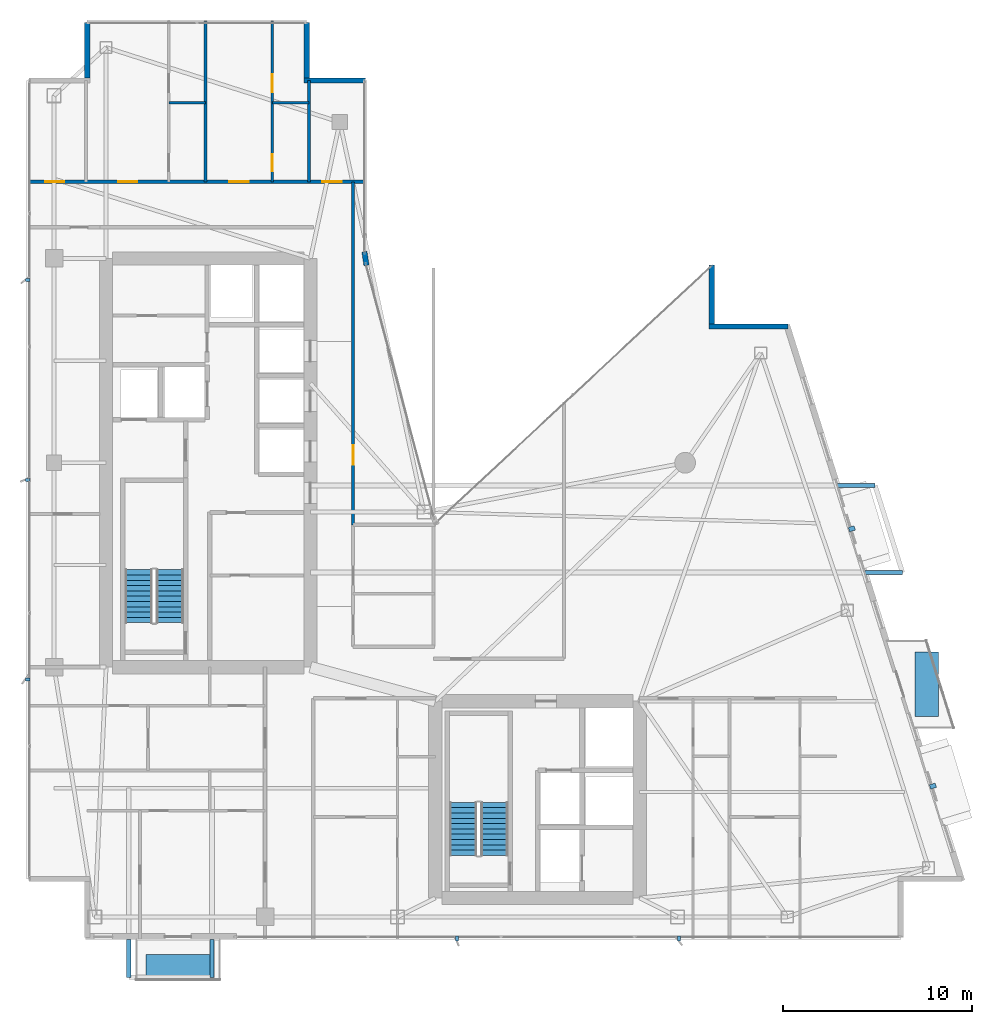
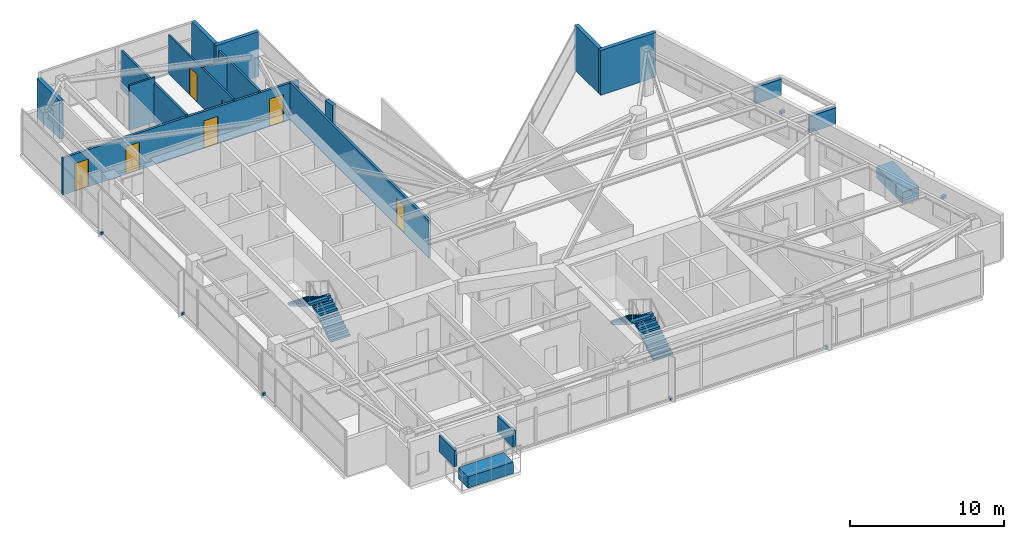
# One storey, part 25 of 27: 13 discrete accessories, 13 walls, 7 doors, 4 stair flights, 7 openings, 2 elements without a shape of their own.
"""IFC4 building model written with IfcOpenShell, lengths in metres."""

from ifc_helpers import new_model, si_unit, direction, frame, frame_2d, origin, origin_2d, place, context, subcontext, project, spatial, polyline, rectangle, outline, extrude, material, layer, layer_set, type_object, element, fill, aggregate, save


model = new_model("IFC4")

# Units and contexts
model_context = context("Model", 3, precision=1e-05, world=origin(), true_north=direction((0.0, 1.0)))
body_context = subcontext(model_context, "Body", "Model", "MODEL_VIEW")
ifc_project = project(units=[si_unit("LENGTHUNIT", "METRE"), si_unit("AREAUNIT", "SQUARE_METRE"), si_unit("VOLUMEUNIT", "CUBIC_METRE"), si_unit("PLANEANGLEUNIT", "RADIAN"), si_unit("MASSUNIT", "GRAM", prefix="KILO")], contexts=[model_context])

# Site, building, storey
site_placement = place(None, origin())
site = spatial("IfcSite", under=ifc_project, at=site_placement, CompositionType="ELEMENT")
building_placement = place(site_placement, origin())
building = spatial("IfcBuilding", under=site, at=building_placement, Name="Calvorn Quay Hotel", CompositionType="ELEMENT")
storey_placement = place(building_placement, frame((0.0, 0.0, 226.89990234375)))
storey = spatial("IfcBuildingStorey", under=building, at=storey_placement, Name="L56", CompositionType="ELEMENT", Elevation=226.89990234375)

# Wall, openings, doors
ifc_material_1 = material(Name="Acoustic Fireboard Steel-Stud Partition", Category="steel")
ifc_layer_1 = layer(ifc_material_1, 0.179931640625)
ifc_layer_set_1 = layer_set([ifc_layer_1], Name="WL-CORR-FIRE-180")
wall_type_1 = type_object("IfcWallType", Name="WL-CORR-FIRE-180", PredefinedType="PARTITIONING", material=ifc_layer_set_1)
wall_1_placement = place(storey_placement, frame((0.080078125, 42.449951171875, 0.0), z_axis=(0.0, 0.0, 1.0), x_axis=(1.0, 0.0, 0.0)))
wall_1 = element("IfcWall", 1, at=wall_1_placement, inside=storey, type_object=wall_type_1, Name="Partition Wall L56-WL-CORR-NW-N", PredefinedType="PARTITIONING", context=body_context, shape_type="SweptSolid", body=[
    extrude(rectangle(XDim=17.77001953125, YDim=0.179931640625, at=frame_2d((8.885009765625, 0.0))), origin(), (0.0, 0.0, 1.0), 2.940185546875),
])
opening_1_placement = place(wall_1_placement, frame((0.89990234375, 0.0, 0.0)))
opening_1 = element("IfcOpeningElement", 2, at=opening_1_placement, cuts=wall_1, Name="Opening D-L56-NWW", PredefinedType="OPENING", context=body_context, shape_type="SweptSolid", body=[
    extrude(rectangle(XDim=1.02001953125, YDim=2.199951171875, at=frame_2d((0.510009765625, 1.10009765625))), frame((0.0, 0.099853515625, 0.0), z_axis=(0.0, -1.0, 0.0), x_axis=(1.0, 0.0, 0.0)), (0.0, 0.0, 1.0), 0.199951171875),
])
opening_2_placement = place(wall_1_placement, frame((4.75, 0.0, 0.0)))
opening_2 = element("IfcOpeningElement", 3, at=opening_2_placement, cuts=wall_1, Name="Opening D-L56-U04", PredefinedType="OPENING", context=body_context, shape_type="SweptSolid", body=[
    extrude(rectangle(XDim=1.02001953125, YDim=2.199951171875, at=frame_2d((0.510009765625, 1.10009765625))), frame((0.0, 0.099853515625, 0.0), z_axis=(0.0, -1.0, 0.0), x_axis=(1.0, 0.0, 0.0)), (0.0, 0.0, 1.0), 0.199951171875),
])
opening_3_placement = place(wall_1_placement, frame((10.6298828125, 0.0, 0.0)))
opening_3 = element("IfcOpeningElement", 4, at=opening_3_placement, cuts=wall_1, Name="Opening D-L56-U05", PredefinedType="OPENING", context=body_context, shape_type="SweptSolid", body=[
    extrude(rectangle(XDim=1.02001953125, YDim=2.199951171875, at=frame_2d((0.510009765625, 1.10009765625))), frame((0.0, 0.099853515625, 0.0), z_axis=(0.0, -1.0, 0.0), x_axis=(1.0, 0.0, 0.0)), (0.0, 0.0, 1.0), 0.199951171875),
])
opening_4_placement = place(wall_1_placement, frame((15.550048828125, 0.0, 0.0)))
opening_4 = element("IfcOpeningElement", 5, at=opening_4_placement, cuts=wall_1, Name="Opening D-L56-NWE", PredefinedType="OPENING", context=body_context, shape_type="SweptSolid", body=[
    extrude(rectangle(XDim=1.02001953125, YDim=2.199951171875, at=frame_2d((0.510009765625, 1.10009765625))), frame((0.0, 0.099853515625, 0.0), z_axis=(0.0, -1.0, 0.0), x_axis=(1.0, 0.0, 0.0)), (0.0, 0.0, 1.0), 0.199951171875),
])
ifc_material_2 = material(Name="Solid-Core Walnut Veneer Hotel Fire Door")
door_type_1 = type_object("IfcDoorType", Name="DR-GUEST-ENTRY-1020", OperationType="NOTDEFINED", PredefinedType="DOOR", material=ifc_material_2)
door_1_placement = place(opening_1_placement, origin())
door_1 = element("IfcDoor", 6, at=door_1_placement, inside=storey, type_object=door_type_1, Name="West Corner Study Door (L56)", OperationType="SINGLE_SWING_LEFT", OverallHeight=2.199951171875, OverallWidth=1.02001953125, PredefinedType="DOOR", context=body_context, shape_type="SweptSolid", body=[
    extrude(rectangle(XDim=1.02001953125, YDim=2.199951171875, at=frame_2d((0.510009765625, 1.10009765625))), frame((0.0, 0.02490234375, 0.0), z_axis=(0.0, -1.0, 0.0), x_axis=(1.0, 0.0, 0.0)), (0.0, 0.0, 1.0), 0.050048828125),
])
fill(opening_1, door_1)
door_2_placement = place(opening_2_placement, origin())
door_2 = element("IfcDoor", 7, at=door_2_placement, inside=storey, type_object=door_type_1, Name="North-West Unit Door U04 (L56)", OperationType="SINGLE_SWING_RIGHT", OverallHeight=2.199951171875, OverallWidth=1.02001953125, PredefinedType="DOOR", context=body_context, shape_type="SweptSolid", body=[
    extrude(rectangle(XDim=1.02001953125, YDim=2.199951171875, at=frame_2d((0.510009765625, 1.10009765625))), frame((0.0, 0.02490234375, 0.0), z_axis=(0.0, -1.0, 0.0), x_axis=(1.0, 0.0, 0.0)), (0.0, 0.0, 1.0), 0.050048828125),
])
fill(opening_2, door_2)
door_3_placement = place(opening_3_placement, origin())
door_3 = element("IfcDoor", 8, at=door_3_placement, inside=storey, type_object=door_type_1, Name="North-West Unit Door U05 (L56)", OperationType="SINGLE_SWING_LEFT", OverallHeight=2.199951171875, OverallWidth=1.02001953125, PredefinedType="DOOR", context=body_context, shape_type="SweptSolid", body=[
    extrude(rectangle(XDim=1.02001953125, YDim=2.199951171875, at=frame_2d((0.510009765625, 1.10009765625))), frame((0.0, 0.02490234375, 0.0), z_axis=(0.0, -1.0, 0.0), x_axis=(1.0, 0.0, 0.0)), (0.0, 0.0, 1.0), 0.050048828125),
])
fill(opening_3, door_3)
door_4_placement = place(opening_4_placement, origin())
door_4 = element("IfcDoor", 9, at=door_4_placement, inside=storey, type_object=door_type_1, Name="Inner Court Study Door (L56)", OperationType="SINGLE_SWING_RIGHT", OverallHeight=2.199951171875, OverallWidth=1.02001953125, PredefinedType="DOOR", context=body_context, shape_type="SweptSolid", body=[
    extrude(rectangle(XDim=1.02001953125, YDim=2.199951171875, at=frame_2d((0.510009765625, 1.10009765625))), frame((0.0, 0.02490234375, 0.0), z_axis=(0.0, -1.0, 0.0), x_axis=(1.0, 0.0, 0.0)), (0.0, 0.0, 1.0), 0.050048828125),
])
fill(opening_4, door_4)

# Wall, opening, door
wall_2_placement = place(storey_placement, frame((17.25, 24.300048828125, 0.0), z_axis=(0.0, 0.0, 1.0), x_axis=(0.0, 1.0, 0.0)))
wall_2 = element("IfcWall", 10, at=wall_2_placement, inside=storey, type_object=wall_type_1, Name="Partition Wall L56-WL-NW-CLOSURE-E", PredefinedType="PARTITIONING", context=body_context, shape_type="SweptSolid", body=[
    extrude(rectangle(XDim=18.14990234375, YDim=0.179931640625, at=frame_2d((9.074951171875, 0.0))), origin(), (0.0, 0.0, 1.0), 2.940185546875),
])
opening_5_placement = place(wall_2_placement, frame((3.199951171875, 0.0, 0.0)))
opening_5 = element("IfcOpeningElement", 11, at=opening_5_placement, cuts=wall_2, Name="Opening D-L56-NCU", PredefinedType="OPENING", context=body_context, shape_type="SweptSolid", body=[
    extrude(rectangle(XDim=1.02001953125, YDim=2.199951171875, at=frame_2d((0.510009765625, 1.10009765625))), frame((0.0, 0.099853515625, 0.0), z_axis=(0.0, -1.0, 0.0), x_axis=(1.0, 0.0, 0.0)), (0.0, 0.0, 1.0), 0.199951171875),
])
door_5_placement = place(opening_5_placement, origin())
door_5 = element("IfcDoor", 12, at=door_5_placement, inside=storey, type_object=door_type_1, Name="Inner Court Horizon Study Door (L56)", OperationType="SINGLE_SWING_RIGHT", OverallHeight=2.199951171875, OverallWidth=1.02001953125, PredefinedType="DOOR", context=body_context, shape_type="SweptSolid", body=[
    extrude(rectangle(XDim=1.02001953125, YDim=2.199951171875, at=frame_2d((0.510009765625, 1.10009765625))), frame((0.0, 0.02490234375, 0.0), z_axis=(0.0, -1.0, 0.0), x_axis=(1.0, 0.0, 0.0)), (0.0, 0.0, 1.0), 0.050048828125),
])
fill(opening_5, door_5)

# Walls
ifc_material_3 = material(Name="Moisture-Resistant Tile-Backed Partition")
ifc_layer_2 = layer(ifc_material_3, 0.125)
ifc_layer_set_2 = layer_set([ifc_layer_2], Name="WL-ENSUITE-125")
wall_type_2 = type_object("IfcWallType", Name="WL-ENSUITE-125", PredefinedType="PARTITIONING", material=ifc_layer_set_2)
wall_3_placement = place(storey_placement, frame((7.52001953125, 46.6201171875, 0.0), z_axis=(0.0, 0.0, 1.0), x_axis=(1.0, 0.0, 0.0)))
element("IfcWall", 13, at=wall_3_placement, inside=storey, type_object=wall_type_2, Name="Partition Wall L56-WL-U04-BDV", PredefinedType="PARTITIONING", context=body_context, shape_type="SweptSolid", body=[
    extrude(rectangle(XDim=1.929931640625, YDim=0.125, at=frame_2d((0.96484375, 0.0))), origin(), (0.0, 0.0, 1.0), 3.56005859375),
])
wall_4_placement = place(storey_placement, frame((12.989990234375, 46.6201171875, 0.0), z_axis=(0.0, 0.0, 1.0), x_axis=(1.0, 0.0, 0.0)))
element("IfcWall", 14, at=wall_4_placement, inside=storey, type_object=wall_type_2, Name="Partition Wall L56-WL-U05-BDV", PredefinedType="PARTITIONING", context=body_context, shape_type="SweptSolid", body=[
    extrude(rectangle(XDim=1.929931640625, YDim=0.125, at=frame_2d((0.96484375, 0.0))), origin(), (0.0, 0.0, 1.0), 3.090087890625),
])

# Wall, openings, doors
wall_5_placement = place(storey_placement, frame((12.989990234375, 42.449951171875, 0.0), z_axis=(0.0, 0.0, 1.0), x_axis=(0.0, 1.0, 0.0)))
wall_5 = element("IfcWall", 15, at=wall_5_placement, inside=storey, type_object=wall_type_2, Name="Partition Wall L56-WL-U05-BV", PredefinedType="PARTITIONING", context=body_context, shape_type="SweptSolid", body=[
    extrude(rectangle(XDim=8.489990234375, YDim=0.125, at=frame_2d((4.2451171875, 0.0))), origin(), (0.0, 0.0, 1.0), 3.090087890625),
])
opening_6_placement = place(wall_5_placement, frame((0.550048828125, 0.0, 0.0)))
opening_6 = element("IfcOpeningElement", 16, at=opening_6_placement, cuts=wall_5, Name="Opening D-L56-E05", PredefinedType="OPENING", context=body_context, shape_type="SweptSolid", body=[
    extrude(rectangle(XDim=0.89990234375, YDim=2.14990234375, at=frame_2d((0.449951171875, 1.074951171875))), frame((0.0, 0.072509765625, 0.0), z_axis=(0.0, -1.0, 0.0), x_axis=(1.0, 0.0, 0.0)), (0.0, 0.0, 1.0), 0.14501953125),
])
opening_7_placement = place(wall_5_placement, frame((4.719970703125, 0.0, 0.0)))
opening_7 = element("IfcOpeningElement", 17, at=opening_7_placement, cuts=wall_5, Name="Opening D-L56-S05", PredefinedType="OPENING", context=body_context, shape_type="SweptSolid", body=[
    extrude(rectangle(XDim=0.9599609375, YDim=2.199951171875, at=frame_2d((0.47998046875, 1.10009765625))), frame((0.0, 0.072509765625, 0.0), z_axis=(0.0, -1.0, 0.0), x_axis=(1.0, 0.0, 0.0)), (0.0, 0.0, 1.0), 0.14501953125),
])
ifc_material_4 = material(Name="Moisture-Sealed Timber En-Suite Door", Category="wood")
door_type_2 = type_object("IfcDoorType", Name="DR-ENSUITE-900", OperationType="NOTDEFINED", PredefinedType="DOOR", material=ifc_material_4)
door_6_placement = place(opening_6_placement, origin())
door_6 = element("IfcDoor", 18, at=door_6_placement, inside=storey, type_object=door_type_2, Name="En-Suite Door 05", OperationType="SINGLE_SWING_LEFT", OverallHeight=2.14990234375, OverallWidth=0.89990234375, PredefinedType="DOOR", context=body_context, shape_type="SweptSolid", body=[
    extrude(rectangle(XDim=0.89990234375, YDim=2.14990234375, at=frame_2d((0.449951171875, 1.074951171875))), frame((0.0, 0.02490234375, 0.0), z_axis=(0.0, -1.0, 0.0), x_axis=(1.0, 0.0, 0.0)), (0.0, 0.0, 1.0), 0.050048828125),
])
fill(opening_6, door_6)
ifc_material_5 = material(Name="Solid Timber Internal Suite Door", Category="wood")
door_type_3 = type_object("IfcDoorType", Name="DR-SUITE-INT-960", OperationType="NOTDEFINED", PredefinedType="DOOR", material=ifc_material_5)
door_7_placement = place(opening_7_placement, origin())
door_7 = element("IfcDoor", 19, at=door_7_placement, inside=storey, type_object=door_type_3, Name="Private Executive Study Door 05", OperationType="SINGLE_SWING_RIGHT", OverallHeight=2.199951171875, OverallWidth=0.9599609375, PredefinedType="DOOR", context=body_context, shape_type="SweptSolid", body=[
    extrude(rectangle(XDim=0.9599609375, YDim=2.199951171875, at=frame_2d((0.47998046875, 1.10009765625))), frame((0.0, 0.02490234375, 0.0), z_axis=(0.0, -1.0, 0.0), x_axis=(1.0, 0.0, 0.0)), (0.0, 0.0, 1.0), 0.050048828125),
])
fill(opening_7, door_7)

# Walls
ifc_material_6 = material(Name="Concrete C40", Category="concrete")
ifc_layer_3 = layer(ifc_material_6, 0.320068359375)
ifc_layer_set_3 = layer_set([ifc_layer_3], Name="WL-EXT-SPANDREL-320")
wall_type_3 = type_object("IfcWallType", Name="WL-EXT-SPANDREL-320", PredefinedType="SOLIDWALL", material=ifc_layer_set_3)
wall_6_placement = place(storey_placement, frame((17.9619140625, 38.030029296875, 0.0), z_axis=(0.0, 0.0, 1.0), x_axis=(-0.15141125477, 0.988470855377, 0.0)))
element("IfcWall", 20, at=wall_6_placement, inside=storey, type_object=wall_type_3, Name="Inner Court Corner Pier L56-ICJ2", PredefinedType="SOLIDWALL", context=body_context, shape_type="SweptSolid", body=[
    extrude(rectangle(XDim=0.738525390625, YDim=0.280029296875, at=frame_2d((0.369140625, 0.0))), origin(), (0.0, 0.0, 1.0), 3.56005859375),
])
wall_7_placement = place(storey_placement, frame((40.239990234375, 34.800048828125, 0.0), z_axis=(0.0, 0.0, 1.0), x_axis=(-1.0, 0.0, 0.0)))
element("IfcWall", 21, at=wall_7_placement, inside=storey, type_object=wall_type_3, Name="Notched Corner Spandrel L56-NE1", PredefinedType="SOLIDWALL", context=body_context, shape_type="SweptSolid", body=[
    extrude(rectangle(XDim=4.179931640625, YDim=0.280029296875, at=frame_2d((2.08984375, 0.0))), origin(), (0.0, 0.0, 1.0), 3.56005859375),
])
wall_8_placement = place(storey_placement, frame((36.199951171875, 34.93994140625, 0.0), z_axis=(0.0, 0.0, 1.0), x_axis=(0.0, 1.0, 0.0)))
element("IfcWall", 22, at=wall_8_placement, inside=storey, type_object=wall_type_3, Name="Notched Corner Spandrel L56-NE2", PredefinedType="SOLIDWALL", context=body_context, shape_type="SweptSolid", body=[
    extrude(rectangle(XDim=3.10009765625, YDim=0.280029296875, at=frame_2d((1.550048828125, 0.0))), origin(), (0.0, 0.0, 1.0), 3.56005859375),
])
wall_9_placement = place(storey_placement, frame((17.89990234375, 47.800048828125, 0.0), z_axis=(0.0, 0.0, 1.0), x_axis=(-1.0, 0.0, 0.0)))
element("IfcWall", 23, at=wall_9_placement, inside=storey, type_object=wall_type_3, Name="Notched Corner Spandrel L56-NWE1", PredefinedType="SOLIDWALL", context=body_context, shape_type="SweptSolid", body=[
    extrude(rectangle(XDim=3.239990234375, YDim=0.280029296875, at=frame_2d((1.6201171875, 0.0))), origin(), (0.0, 0.0, 1.0), 3.56005859375),
])
wall_10_placement = place(storey_placement, frame((14.800048828125, 47.93994140625, 0.0), z_axis=(0.0, 0.0, 1.0), x_axis=(0.0, 1.0, 0.0)))
element("IfcWall", 24, at=wall_10_placement, inside=storey, type_object=wall_type_3, Name="Notched Corner Spandrel L56-NWE2", PredefinedType="SOLIDWALL", context=body_context, shape_type="SweptSolid", body=[
    extrude(rectangle(XDim=2.93994140625, YDim=0.280029296875, at=frame_2d((1.469970703125, 0.0))), origin(), (0.0, 0.0, 1.0), 3.56005859375),
])
wall_11_placement = place(storey_placement, frame((3.199951171875, 50.8798828125, 0.0), z_axis=(0.0, 0.0, 1.0), x_axis=(0.0, -1.0, 0.0)))
element("IfcWall", 25, at=wall_11_placement, inside=storey, type_object=wall_type_3, Name="Notched Corner Spandrel L56-NW1", PredefinedType="SOLIDWALL", context=body_context, shape_type="SweptSolid", body=[
    extrude(rectangle(XDim=2.93994140625, YDim=0.280029296875, at=frame_2d((1.469970703125, 0.0))), origin(), (0.0, 0.0, 1.0), 3.090087890625),
])
ifc_material_7 = material(Name="Double-Stud Acoustic Gypsum Partition")
ifc_layer_4 = layer(ifc_material_7, 0.159912109375)
ifc_layer_set_4 = layer_set([ifc_layer_4], Name="WL-INTERSUITE-160")
wall_type_4 = type_object("IfcWallType", Name="WL-INTERSUITE-160", PredefinedType="PARTITIONING", material=ifc_layer_set_4)
wall_12_placement = place(storey_placement, frame((14.919921875, 42.449951171875, 0.0), z_axis=(0.0, 0.0, 1.0), x_axis=(0.0, 1.0, 0.0)))
element("IfcWall", 26, at=wall_12_placement, inside=storey, type_object=wall_type_4, Name="Partition Wall L56-WL-NW-DIV-E0", PredefinedType="PARTITIONING", context=body_context, shape_type="SweptSolid", body=[
    extrude(rectangle(XDim=5.35009765625, YDim=0.159912109375, at=frame_2d((2.675048828125, 0.0))), origin(), (0.0, 0.0, 1.0), 3.090087890625),
])
wall_13_placement = place(storey_placement, frame((9.449951171875, 42.449951171875, 0.0), z_axis=(0.0, 0.0, 1.0), x_axis=(0.0, 1.0, 0.0)))
element("IfcWall", 27, at=wall_13_placement, inside=storey, type_object=wall_type_4, Name="Partition Wall L56-WL-NW-DIV-1", PredefinedType="PARTITIONING", context=body_context, shape_type="SweptSolid", body=[
    extrude(rectangle(XDim=8.489990234375, YDim=0.159912109375, at=frame_2d((4.2451171875, 0.0))), origin(), (0.0, 0.0, 1.0), 3.090087890625),
])

# Stair, stair flights
ifc_material_8 = material(Name="Concrete C40", Category="concrete")
stair_type = type_object("IfcStairType", Name="STR-CORE-DOGLEG", PredefinedType="HALF_TURN_STAIR", material=ifc_material_8)
stair_1_placement = place(storey_placement, origin())
stair_1 = element("IfcStair", 28, at=stair_1_placement, inside=storey, type_object=stair_type, Name="L56 ST-W", PredefinedType="HALF_TURN_STAIR")
ifc_material_9 = material(Name="Concrete C40", Category="concrete")
stair_flight_type = type_object("IfcStairFlightType", Name="FLT-CORE-1550", PredefinedType="STRAIGHT", material=ifc_material_9)
stair_flight_1_placement = place(storey_placement, frame((7.574951171875, 19.14990234375, 0.0), z_axis=(0.0, 0.0, 1.0), x_axis=(0.0, 1.0, 0.0)))
stair_flight_1 = element("IfcStairFlight", 29, at=stair_flight_1_placement, type_object=stair_flight_type, Name="ST-W flight 1", NumberOfRisers=11, NumberOfTreads=10, PredefinedType="STRAIGHT", RiserHeight=0.172727273, TreadLength=0.28, context=body_context, shape_type="SweptSolid", body=[
    extrude(outline(polyline([(0.0, 0.0), (0.0, 0.172607421875), (0.280029296875, 0.172607421875), (0.280029296875, 0.345458984375), (0.56005859375, 0.345458984375), (0.56005859375, 0.51806640625), (0.840087890625, 0.51806640625), (0.840087890625, 0.69091796875), (1.1201171875, 0.69091796875), (1.1201171875, 0.863525390625), (1.39990234375, 0.863525390625), (1.39990234375, 1.036376953125), (1.679931640625, 1.036376953125), (1.679931640625, 1.208984375), (1.9599609375, 1.208984375), (1.9599609375, 1.3818359375), (2.239990234375, 1.3818359375), (2.239990234375, 1.554443359375), (2.52001953125, 1.554443359375), (2.52001953125, 1.727294921875), (2.800048828125, 1.727294921875), (2.800048828125, 1.89990234375), (2.800048828125, 1.551025390625), (0.285400390625, 0.0), (0.0, 0.0)])), frame((0.0, 0.72509765625, 0.0), z_axis=(0.0, -1.0, 0.0), x_axis=(1.0, 0.0, 0.0)), (0.0, 0.0, 1.0), 1.449951171875),
])
stair_flight_2_placement = place(storey_placement, frame((5.925048828125, 21.949951171875, 1.900146484375), z_axis=(0.0, 0.0, 1.0), x_axis=(0.0, -1.0, 0.0)))
stair_flight_2 = element("IfcStairFlight", 30, at=stair_flight_2_placement, type_object=stair_flight_type, Name="ST-W flight 2", NumberOfRisers=11, NumberOfTreads=10, PredefinedType="STRAIGHT", RiserHeight=0.172727273, TreadLength=0.28, context=body_context, shape_type="SweptSolid", body=[
    extrude(outline(polyline([(0.0, 0.0), (0.0, 0.172607421875), (0.280029296875, 0.172607421875), (0.280029296875, 0.345458984375), (0.56005859375, 0.345458984375), (0.56005859375, 0.51806640625), (0.840087890625, 0.51806640625), (0.840087890625, 0.69091796875), (1.1201171875, 0.69091796875), (1.1201171875, 0.863525390625), (1.39990234375, 0.863525390625), (1.39990234375, 1.036376953125), (1.679931640625, 1.036376953125), (1.679931640625, 1.208984375), (1.9599609375, 1.208984375), (1.9599609375, 1.3818359375), (2.239990234375, 1.3818359375), (2.239990234375, 1.554443359375), (2.52001953125, 1.554443359375), (2.52001953125, 1.727294921875), (2.800048828125, 1.727294921875), (2.800048828125, 1.89990234375), (2.800048828125, 1.551025390625), (0.285400390625, 0.0), (0.0, 0.0)])), frame((0.0, 0.72509765625, 0.0), z_axis=(0.0, -1.0, 0.0), x_axis=(1.0, 0.0, 0.0)), (0.0, 0.0, 1.0), 1.449951171875),
])
aggregate(stair_1, [stair_flight_1, stair_flight_2])

stair_2_placement = place(storey_placement, origin())
stair_2 = element("IfcStair", 31, at=stair_2_placement, inside=storey, type_object=stair_type, Name="L56 ST-E", PredefinedType="HALF_TURN_STAIR")
stair_flight_3_placement = place(storey_placement, frame((24.72509765625, 6.85009765625, 0.0), z_axis=(0.0, 0.0, 1.0), x_axis=(0.0, 1.0, 0.0)))
stair_flight_3 = element("IfcStairFlight", 32, at=stair_flight_3_placement, type_object=stair_flight_type, Name="ST-E flight 1", NumberOfRisers=11, NumberOfTreads=10, PredefinedType="STRAIGHT", RiserHeight=0.172727273, TreadLength=0.28, context=body_context, shape_type="SweptSolid", body=[
    extrude(outline(polyline([(0.0, 0.0), (0.0, 0.172607421875), (0.280029296875, 0.172607421875), (0.280029296875, 0.345458984375), (0.56005859375, 0.345458984375), (0.56005859375, 0.51806640625), (0.840087890625, 0.51806640625), (0.840087890625, 0.69091796875), (1.1201171875, 0.69091796875), (1.1201171875, 0.863525390625), (1.39990234375, 0.863525390625), (1.39990234375, 1.036376953125), (1.679931640625, 1.036376953125), (1.679931640625, 1.208984375), (1.9599609375, 1.208984375), (1.9599609375, 1.3818359375), (2.239990234375, 1.3818359375), (2.239990234375, 1.554443359375), (2.52001953125, 1.554443359375), (2.52001953125, 1.727294921875), (2.800048828125, 1.727294921875), (2.800048828125, 1.89990234375), (2.800048828125, 1.551025390625), (0.285400390625, 0.0), (0.0, 0.0)])), frame((0.0, 0.72509765625, 0.0), z_axis=(0.0, -1.0, 0.0), x_axis=(1.0, 0.0, 0.0)), (0.0, 0.0, 1.0), 1.449951171875),
])
stair_flight_4_placement = place(storey_placement, frame((23.074951171875, 9.64990234375, 1.900146484375), z_axis=(0.0, 0.0, 1.0), x_axis=(0.0, -1.0, 0.0)))
stair_flight_4 = element("IfcStairFlight", 33, at=stair_flight_4_placement, type_object=stair_flight_type, Name="ST-E flight 2", NumberOfRisers=11, NumberOfTreads=10, PredefinedType="STRAIGHT", RiserHeight=0.172727273, TreadLength=0.28, context=body_context, shape_type="SweptSolid", body=[
    extrude(outline(polyline([(0.0, 0.0), (0.0, 0.172607421875), (0.280029296875, 0.172607421875), (0.280029296875, 0.345458984375), (0.56005859375, 0.345458984375), (0.56005859375, 0.51806640625), (0.840087890625, 0.51806640625), (0.840087890625, 0.69091796875), (1.1201171875, 0.69091796875), (1.1201171875, 0.863525390625), (1.39990234375, 0.863525390625), (1.39990234375, 1.036376953125), (1.679931640625, 1.036376953125), (1.679931640625, 1.208984375), (1.9599609375, 1.208984375), (1.9599609375, 1.3818359375), (2.239990234375, 1.3818359375), (2.239990234375, 1.554443359375), (2.52001953125, 1.554443359375), (2.52001953125, 1.727294921875), (2.800048828125, 1.727294921875), (2.800048828125, 1.89990234375), (2.800048828125, 1.551025390625), (0.285400390625, 0.0), (0.0, 0.0)])), frame((0.0, 0.72509765625, 0.0), z_axis=(0.0, -1.0, 0.0), x_axis=(1.0, 0.0, 0.0)), (0.0, 0.0, 1.0), 1.449951171875),
])
aggregate(stair_2, [stair_flight_3, stair_flight_4])

# Discrete accessories
ifc_material_10 = material(Name="Steel Q355B", Category="steel")
discrete_accessory_type_1 = type_object("IfcDiscreteAccessoryType", Name="ACC-BALC-STRUT", PredefinedType="BRACKET", material=ifc_material_10)
for number, where, z_axis, x_axis, name in (
    (34, (45.291015625, 21.800048828125, 2.01513671875), (0.0, 0.0, 1.0), (1.0, 0.0, 0.0), "Exterior Balcony Steel Bracket L57-BALC-E-A"),
    (35, (43.842041015625, 26.39990234375, 2.01513671875), (0.0, 0.0, 1.0), (1.0, 0.0, 0.0), "Exterior Balcony Steel Bracket L57-BALC-E-B"),
):
    element("IfcDiscreteAccessory", number, at=place(storey_placement, frame(where, z_axis=z_axis, x_axis=x_axis)), inside=storey, type_object=discrete_accessory_type_1, Name=name, PredefinedType="BRACKET", context=body_context, shape_type="SweptSolid", body=[
        extrude(rectangle(XDim=1.989990234375, YDim=0.219970703125, at=origin_2d()), origin(), (0.0, 0.0, 1.0), 1.300048828125),
    ])
for number, where, z_axis, x_axis, name in (
    (36, (5.39990234375, 1.405029296875, 2.01513671875), (0.0, 0.0, 1.0), (1.0, 0.0, 0.0), "Exterior Balcony Steel Bracket L57-BALC-S-A"),
    (37, (9.800048828125, 1.405029296875, 2.01513671875), (0.0, 0.0, 1.0), (1.0, 0.0, 0.0), "Exterior Balcony Steel Bracket L57-BALC-S-B"),
):
    element("IfcDiscreteAccessory", number, at=place(storey_placement, frame(where, z_axis=z_axis, x_axis=x_axis)), inside=storey, type_object=discrete_accessory_type_1, Name=name, PredefinedType="BRACKET", context=body_context, shape_type="SweptSolid", body=[
        extrude(rectangle(XDim=0.219970703125, YDim=1.989990234375, at=origin_2d()), origin(), (0.0, 0.0, 1.0), 1.300048828125),
    ])
ifc_material_11 = material(Name="Steel Q355B", Category="steel")
discrete_accessory_type_2 = type_object("IfcDiscreteAccessoryType", Name="ACC-FIN-BRACKET", PredefinedType="BRACKET", material=ifc_material_11)
for number, where, z_axis, x_axis, name in (
    (38, (0.06005859375, 16.14990234375, 0.0302734375), (0.0, 0.0, 1.0), (1.0, 0.0, 0.0), "Fin Anchor Bracket L56-W01"),
    (39, (0.06005859375, 26.699951171875, 0.0302734375), (0.0, 0.0, 1.0), (1.0, 0.0, 0.0), "Fin Anchor Bracket L56-W02"),
    (40, (0.06005859375, 37.25, 0.0302734375), (0.0, 0.0, 1.0), (1.0, 0.0, 0.0), "Fin Anchor Bracket L56-W03"),
    (41, (22.73291015625, 2.4599609375, 0.0302734375), (0.0, 0.0, 1.0), (0.0, 1.0, 0.0), "Fin Anchor Bracket L56-S01"),
    (42, (34.467041015625, 2.4599609375, 0.0302734375), (0.0, 0.0, 1.0), (0.0, 1.0, 0.0), "Fin Anchor Bracket L56-S02"),
):
    element("IfcDiscreteAccessory", number, at=place(storey_placement, frame(where, z_axis=z_axis, x_axis=x_axis)), inside=storey, type_object=discrete_accessory_type_2, Name=name, PredefinedType="BRACKET", context=body_context, shape_type="SweptSolid", body=[
        extrude(rectangle(XDim=0.239990234375, YDim=0.159912109375, at=origin_2d()), origin(), (0.0, 0.0, 1.0), 0.179931640625),
    ])
for number, where, z_axis, x_axis, name in (
    (43, (47.89501953125, 10.511962890625, 2.3701171875), (0.0, 0.0, 1.0), (0.957319497532, 0.289031796944, 0.0), "Bay Hood Support Bracket L56-HOOD-1"),
    (44, (43.610107421875, 24.112060546875, 2.3701171875), (0.0, 0.0, 1.0), (0.957319497532, 0.289031796944, 0.0), "Bay Hood Support Bracket L56-HOOD-3"),
):
    element("IfcDiscreteAccessory", number, at=place(storey_placement, frame(where, z_axis=z_axis, x_axis=x_axis)), inside=storey, type_object=discrete_accessory_type_2, Name=name, PredefinedType="BRACKET", context=body_context, shape_type="SweptSolid", body=[
        extrude(rectangle(XDim=0.320068359375, YDim=0.239990234375, at=origin_2d()), origin(), (0.0, 0.0, 1.0), 0.199951171875),
    ])
ifc_material_12 = material(Name="Precast concrete C40", Category="concrete")
discrete_accessory_type_3 = type_object("IfcDiscreteAccessoryType", Name="ACC-TREE-PLANTER", PredefinedType="USERDEFINED", material=ifc_material_12)
discrete_accessory_1_placement = place(storey_placement, frame((47.56494140625, 15.89990234375, 0.000244140625), z_axis=(0.0, 0.0, 1.0), x_axis=(1.0, 0.0, 0.0)))
element("IfcDiscreteAccessory", 45, at=discrete_accessory_1_placement, inside=storey, type_object=discrete_accessory_type_3, Name="Subtropical Tree Structural Planter L56-BALC-E", ObjectType="PLANTER", PredefinedType="USERDEFINED", context=body_context, shape_type="SweptSolid", body=[
    extrude(rectangle(XDim=1.25, YDim=3.39990234375, at=origin_2d()), origin(), (0.0, 0.0, 1.0), 0.89990234375),
])
discrete_accessory_2_placement = place(storey_placement, frame((8.0, 0.989990234375, 0.000244140625), z_axis=(0.0, 0.0, 1.0), x_axis=(1.0, 0.0, 0.0)))
element("IfcDiscreteAccessory", 46, at=discrete_accessory_2_placement, inside=storey, type_object=discrete_accessory_type_3, Name="Subtropical Tree Structural Planter L56-BALC-S", ObjectType="PLANTER", PredefinedType="USERDEFINED", context=body_context, shape_type="SweptSolid", body=[
    extrude(rectangle(XDim=3.39990234375, YDim=1.25, at=origin_2d()), origin(), (0.0, 0.0, 1.0), 0.89990234375),
])

save(model, "model.ifc")
